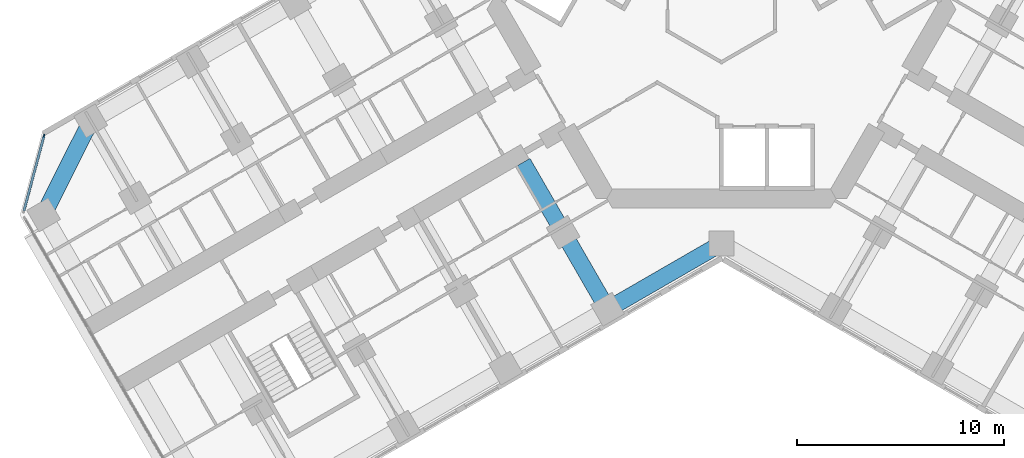
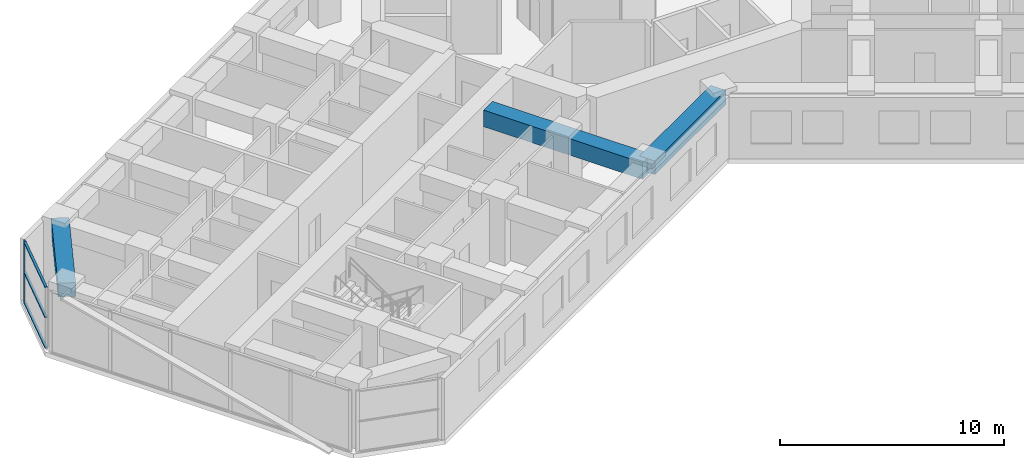
# One storey, part 3 of 20: 4 members, 3 beams, 1 element without a shape of its own.
"""IFC4 building model written with IfcOpenShell, lengths in metres."""

import ifcopenshell
import ifcopenshell.guid

model = None  # the IFC model being written
_history = None  # IfcOwnerHistory: only IFC2X3 demands one
_inside = {}  # id of a spatial element -> (the spatial element, [elements in it])
_under = {}  # id of a project, library or spatial element -> (it, [spatial elements below it])
_declared = {}  # id of a project -> (the project, [libraries it declares])
_typed = {}  # id of a type object -> (the type object, [elements of that type])
_made_of = {}  # id of a material, layer set ... -> (it, [elements and type objects made of it])


def new_model(schema):
    """Start an empty IFC model of exactly this schema.

    Asked for "IFC4X3", IfcOpenShell would pick the latest addendum, in which some entities
    have other attributes; the version numbers below select the first issue.
    IFC2X3 requires an IfcOwnerHistory on every rooted entity: one is made here for all.
    """
    global model, _history
    if schema == "IFC4X3":
        model = ifcopenshell.file(schema_version=(4, 3, 0, 0))
    else:
        model = ifcopenshell.file(schema=schema)
    _inside.clear()
    _under.clear()
    _declared.clear()
    _typed.clear()
    _made_of.clear()
    _history = None
    if model.schema == "IFC2X3":
        org = make("IfcOrganization", Name="unknown")
        user = make(
            "IfcPersonAndOrganization",
            ThePerson=make("IfcPerson", FamilyName="unknown"),
            TheOrganization=org,
        )
        app = make(
            "IfcApplication",
            ApplicationDeveloper=org,
            Version="unknown",
            ApplicationFullName="unknown",
            ApplicationIdentifier="unknown",
        )
        _history = make(
            "IfcOwnerHistory",
            OwningUser=user,
            OwningApplication=app,
            ChangeAction="ADDED",
            CreationDate=0,
        )
    return model


def make(cls, **values):
    """One entity of the class cls with the attributes given. An attribute that is None is left unset."""
    return model.create_entity(
        cls, **{name: value for name, value in values.items() if value is not None}
    )


def rooted(cls, **values):
    """An entity with a GlobalId (a new one), such as an element, a storey or a relation."""
    return make(cls, GlobalId=ifcopenshell.guid.new(), OwnerHistory=_history, **values)


def si_unit(unit_type, name, prefix=None):
    """IfcSIUnit, for example si_unit("LENGTHUNIT", "METRE", prefix="MILLI")."""
    return make("IfcSIUnit", UnitType=unit_type, Prefix=prefix, Name=name)


def assignment(units):
    """IfcUnitAssignment: the units of a project."""
    return None if units is None else make("IfcUnitAssignment", Units=units)


def point(xyz):
    """IfcCartesianPoint."""
    return None if xyz is None else make("IfcCartesianPoint", Coordinates=xyz)


def direction(xyz):
    """IfcDirection."""
    return None if xyz is None else make("IfcDirection", DirectionRatios=xyz)


def frame(location, z_axis=None, x_axis=None):
    """IfcAxis2Placement3D, a coordinate frame: its origin and axes. An axis left out is left unset."""
    return make(
        "IfcAxis2Placement3D",
        Location=point(location),
        Axis=direction(z_axis),
        RefDirection=direction(x_axis),
    )


def frame_2d(location, x_axis=None):
    """IfcAxis2Placement2D, a coordinate frame in the plane: its origin and x axis."""
    return make(
        "IfcAxis2Placement2D", Location=point(location), RefDirection=direction(x_axis)
    )


def origin():
    """The frame at (0, 0, 0) with its axes left unset."""
    return frame((0.0, 0.0, 0.0))


def origin_2d():
    """The frame at (0, 0) in the plane with its x axis left unset."""
    return frame_2d((0.0, 0.0))


def place(relative_to, where):
    """IfcLocalPlacement: puts the frame where relative to a parent placement (None: the world)."""
    return make(
        "IfcLocalPlacement", PlacementRelTo=relative_to, RelativePlacement=where
    )


def context(
    kind, dimensions, precision=None, world=None, true_north=None, identifier=None
):
    """IfcGeometricRepresentationContext, for example the 3D "Model" context."""
    return make(
        "IfcGeometricRepresentationContext",
        ContextIdentifier=identifier,
        ContextType=kind,
        CoordinateSpaceDimension=dimensions,
        Precision=precision,
        WorldCoordinateSystem=world,
        TrueNorth=true_north,
    )


def subcontext(parent, identifier, kind, view, scale=None):
    """IfcGeometricRepresentationSubContext, for example "Body" below "Model"."""
    return make(
        "IfcGeometricRepresentationSubContext",
        ContextIdentifier=identifier,
        ContextType=kind,
        ParentContext=parent,
        TargetScale=scale,
        TargetView=view,
    )


def project(units=None, contexts=None):
    """IfcProject with its units and contexts."""
    return rooted(
        "IfcProject",
        Name="project",
        RepresentationContexts=contexts,
        UnitsInContext=assignment(units),
    )


def spatial(cls, under=None, at=None, **own):
    """A site, building, storey or space (cls), placed at a placement, below another one or the project."""
    s = rooted(cls, ObjectPlacement=at, **own)
    if under is not None:
        _under.setdefault(under.id(), (under, []))[1].append(s)
    return s


def profile(cls, at=None, kind="AREA", **sizes):
    """A parametric profile (cls). Its sizes go by their IFC names, for example OverallWidth=200.0."""
    return make(cls, ProfileType=kind, Position=at, **sizes)


def rectangle(**sizes):
    """IfcRectangleProfileDef."""
    return profile("IfcRectangleProfileDef", **sizes)


def extrude(swept, where, along, depth):
    """IfcExtrudedAreaSolid: the profile swept, set in the frame where, extruded along a direction by depth."""
    return make(
        "IfcExtrudedAreaSolid",
        SweptArea=swept,
        Position=where,
        ExtrudedDirection=direction(along),
        Depth=depth,
    )


def shape(context_of_items, identifier, shape_type, items):
    """IfcShapeRepresentation: the items that make up one representation, for example the "Body"."""
    return make(
        "IfcShapeRepresentation",
        ContextOfItems=context_of_items,
        RepresentationIdentifier=identifier,
        RepresentationType=shape_type,
        Items=items,
    )


def material(Name=None, Category=None):
    """IfcMaterial."""
    return make("IfcMaterial", Name=Name, Category=Category)


def material_profile(
    of_material, cross_section, Name=None, Category=None, Priority=None
):
    """IfcMaterialProfile: a cross section and its material."""
    return make(
        "IfcMaterialProfile",
        Name=Name,
        Material=of_material,
        Profile=cross_section,
        Priority=Priority,
        Category=Category,
    )


def profile_set(profiles, Name=None, composite=None):
    """IfcMaterialProfileSet."""
    return make(
        "IfcMaterialProfileSet",
        Name=Name,
        MaterialProfiles=profiles,
        CompositeProfile=composite,
    )


def made_of(thing, what):
    """Note that an element or type object is made of a material, layer set ...; save() writes the relation."""
    if what is not None:
        _made_of.setdefault(what.id(), (what, []))[1].append(thing)
    return thing


def type_object(cls, material=None, **own):
    """A type object (cls), such as IfcWallType, which elements share."""
    return made_of(rooted(cls, **own), material)


def element(
    cls,
    number,
    at=None,
    inside=None,
    cuts=None,
    type_object=None,
    material=None,
    context=None,
    identifier="Body",
    shape_type=None,
    held_by="IfcProductDefinitionShape",
    body=None,
    shapes=None,
    **own,
):
    """One element of the class cls, such as IfcWall. Its Tag is "e" and its number.

    at: its placement. inside: the storey or other place that contains it. cuts: it is an
    opening in that element (IfcRelVoidsElement). A single representation is given by context,
    identifier, shape_type and body (its items); several are given by shapes. held_by: the class
    of the entity that holds the representations. save() writes the other relations.
    """
    e = rooted(cls, Tag="e%d" % number, ObjectPlacement=at, **own)
    if body is not None:
        shapes = [shape(context, identifier, shape_type, body)]
    if shapes is not None:
        e.Representation = make(held_by, Representations=shapes)
    if inside is not None:
        _inside.setdefault(inside.id(), (inside, []))[1].append(e)
    if cuts is not None:
        rooted(
            "IfcRelVoidsElement", RelatingBuildingElement=cuts, RelatedOpeningElement=e
        )
    if type_object is not None:
        _typed.setdefault(type_object.id(), (type_object, []))[1].append(e)
    return made_of(e, material)


def aggregate(whole, parts):
    """IfcRelAggregates: a whole, such as a stair, and the parts it consists of."""
    return rooted("IfcRelAggregates", RelatingObject=whole, RelatedObjects=parts)


def save(model, path):
    """Write the relations noted so far, then the file.

    IfcRelAggregates (storeys below a building ...), IfcRelContainedInSpatialStructure (elements
    in a storey), IfcRelDefinesByType, IfcRelAssociatesMaterial and IfcRelDeclares: one each for
    every whole, place, type object, material and project.
    """
    for whole, parts in _under.values():
        aggregate(whole, parts)
    for where, things in _inside.values():
        rooted(
            "IfcRelContainedInSpatialStructure",
            RelatedElements=things,
            RelatingStructure=where,
        )
    for kind, things in _typed.values():
        rooted("IfcRelDefinesByType", RelatedObjects=things, RelatingType=kind)
    for what, things in _made_of.values():
        rooted("IfcRelAssociatesMaterial", RelatedObjects=things, RelatingMaterial=what)
    for by, libraries in _declared.values():
        rooted("IfcRelDeclares", RelatingContext=by, RelatedDefinitions=libraries)
    model.write(path)


model = new_model("IFC4")

# Units and contexts
model_context = context("Model", 3, precision=1e-05, world=origin(), true_north=direction((0.0, 1.0)))
body_context = subcontext(model_context, "Body", "Model", "MODEL_VIEW")
ifc_project = project(units=[si_unit("LENGTHUNIT", "METRE"), si_unit("AREAUNIT", "SQUARE_METRE"), si_unit("VOLUMEUNIT", "CUBIC_METRE"), si_unit("PLANEANGLEUNIT", "RADIAN"), si_unit("MASSUNIT", "GRAM", prefix="KILO")], contexts=[model_context])

# Site, building, storey
site_placement = place(None, origin())
site = spatial("IfcSite", under=ifc_project, at=site_placement, CompositionType="ELEMENT")
building_placement = place(site_placement, origin())
building = spatial("IfcBuilding", under=site, at=building_placement, Name="Kosmar Iwan School Tower", CompositionType="ELEMENT")
storey_placement = place(building_placement, frame((0.0, 0.0, 127.39990234375)))
storey = spatial("IfcBuildingStorey", under=building, at=storey_placement, Name="L31", CompositionType="ELEMENT", Elevation=127.39990234375)

# Curtain wall, member
ifc_material_1 = material(Name="Dark glass in black aluminium frame", Category="aluminium")
curtain_wall_type = type_object("IfcCurtainWallType", Name="Chamfer curtain wall dark glass", PredefinedType="USERDEFINED", material=ifc_material_1)
curtain_wall_placement = place(storey_placement, origin())
curtain_wall = element("IfcCurtainWall", 1, at=curtain_wall_placement, inside=storey, type_object=curtain_wall_type, Name="Curtain wall L31-F12", ObjectType="FACETED CURTAIN WALL", PredefinedType="USERDEFINED")
ifc_material_2 = material(Name="Black anodised aluminium", Category="aluminium")
ifc_material_profile_1 = material_profile(ifc_material_2, rectangle(XDim=0.06005859375, YDim=0.159912109375, at=origin_2d()), Name="MULLION 60x160")
ifc_profile_set_1 = profile_set([ifc_material_profile_1], Name="Black anodised aluminium")
member_type_1 = type_object("IfcMemberType", Name="Mullion 60x160", PredefinedType="MULLION", material=ifc_profile_set_1)
member_1_placement = place(storey_placement, frame((-32.78076171875, -6.5732421875, 0.0), z_axis=(0.0, 0.0, 1.0), x_axis=(0.965925875495, -0.258818861462, 0.0)))
member_1 = element("IfcMember", 2, at=member_1_placement, type_object=member_type_1, Name="CW2 mullion 1", PredefinedType="MULLION", context=body_context, shape_type="SweptSolid", body=[
    extrude(rectangle(XDim=0.06005859375, YDim=0.159912109375, at=origin_2d()), origin(), (0.0, 0.0, 1.0), 3.35009765625),
])

# Beams
ifc_material_3 = material(Name="Concrete C50/60", Category="concrete")
ifc_material_profile_2 = material_profile(ifc_material_3, rectangle(XDim=0.800048828125, YDim=0.75, at=origin_2d()), Name="RC 800x750")
ifc_profile_set_2 = profile_set([ifc_material_profile_2], Name="Concrete C50/60")
beam_type_1 = type_object("IfcBeamType", Name="RC edge beam 800x750", PredefinedType="BEAM", material=ifc_profile_set_2)
beam_1_placement = place(storey_placement, frame((0.0, -11.77783203125, 2.97509765625), z_axis=(-0.866014293216, -0.500019243575, 0.0), x_axis=(0.500019243575, -0.866014293216, 0.0)))
element("IfcBeam", 3, at=beam_1_placement, inside=storey, type_object=beam_type_1, Name="Edge beam BL1", PredefinedType="BEAM", context=body_context, shape_type="SweptSolid", body=[
    extrude(rectangle(XDim=0.800048828125, YDim=0.75, at=origin_2d()), origin(), (0.0, 0.0, 1.0), 6.361083984375),
])
ifc_material_4 = material(Name="Concrete C50/60", Category="concrete")
ifc_material_profile_3 = material_profile(ifc_material_4, rectangle(XDim=0.800048828125, YDim=0.75, at=origin_2d()), Name="RC 800x750")
ifc_profile_set_3 = profile_set([ifc_material_profile_3], Name="Concrete C50/60")
beam_type_2 = type_object("IfcBeamType", Name="RC tip beam 800x750", PredefinedType="BEAM", material=ifc_profile_set_3)
beam_2_placement = place(storey_placement, frame((-30.517822265625, -5.841552734375, 2.97509765625), z_axis=(-0.44809604203, -0.893985423325, 0.0), x_axis=(0.893985423325, -0.44809604203, 0.0)))
element("IfcBeam", 4, at=beam_2_placement, inside=storey, type_object=beam_type_2, Name="Tip beam BR", PredefinedType="BEAM", context=body_context, shape_type="SweptSolid", body=[
    extrude(rectangle(XDim=0.800048828125, YDim=0.75, at=origin_2d()), origin(), (0.0, 0.0, 1.0), 5.08935546875),
])
ifc_material_5 = material(Name="Concrete C50/60", Category="concrete")
ifc_material_profile_4 = material_profile(ifc_material_5, rectangle(XDim=0.800048828125, YDim=0.89990234375, at=origin_2d()), Name="RC 800x900")
ifc_profile_set_4 = profile_set([ifc_material_profile_4], Name="Concrete C50/60")
beam_type_3 = type_object("IfcBeamType", Name="RC transverse beam 800x900", PredefinedType="BEAM", material=ifc_profile_set_4)
beam_3_placement = place(storey_placement, frame((-5.5087890625, -14.95849609375, 2.900146484375), z_axis=(-0.500000789788, 0.8660249478, 0.0), x_axis=(-0.8660249478, -0.500000789788, 0.0)))
element("IfcBeam", 5, at=beam_3_placement, inside=storey, type_object=beam_type_3, Name="Transverse beam BL1", PredefinedType="BEAM", context=body_context, shape_type="SweptSolid", body=[
    extrude(rectangle(XDim=0.800048828125, YDim=0.89990234375, at=origin_2d()), origin(), (0.0, 0.0, 1.0), 8.2001953125),
])

# Member
ifc_material_6 = material(Name="Black anodised aluminium", Category="aluminium")
ifc_material_profile_5 = material_profile(ifc_material_6, rectangle(XDim=0.1201171875, YDim=0.06005859375, at=origin_2d()), Name="TRANSOM 60x120")
ifc_profile_set_5 = profile_set([ifc_material_profile_5], Name="Black anodised aluminium")
member_type_2 = type_object("IfcMemberType", Name="Transom 60x120", PredefinedType="USERDEFINED", material=ifc_profile_set_5)
member_2_placement = place(storey_placement, frame((-32.788330078125, -6.602294921875, 0.030029296875), z_axis=(-0.258843273983, -0.965919333854, 0.0), x_axis=(0.965919333854, -0.258843273983, 0.0)))
member_2 = element("IfcMember", 6, at=member_2_placement, type_object=member_type_2, Name="CW2 transom 1.1", ObjectType="TRANSOM", PredefinedType="USERDEFINED", context=body_context, shape_type="SweptSolid", body=[
    extrude(rectangle(XDim=0.1201171875, YDim=0.06005859375, at=origin_2d()), origin(), (0.0, 0.0, 1.0), 3.718994140625),
])

member_3_placement = place(storey_placement, frame((-32.788330078125, -6.602294921875, 1.675048828125), z_axis=(-0.258843273983, -0.965919333854, 0.0), x_axis=(0.965919333854, -0.258843273983, 0.0)))
member_3 = element("IfcMember", 7, at=member_3_placement, type_object=member_type_2, Name="CW2 transom 1.2", ObjectType="TRANSOM", PredefinedType="USERDEFINED", context=body_context, shape_type="SweptSolid", body=[
    extrude(rectangle(XDim=0.1201171875, YDim=0.06005859375, at=origin_2d()), origin(), (0.0, 0.0, 1.0), 3.718994140625),
])

member_4_placement = place(storey_placement, frame((-32.788330078125, -6.602294921875, 3.320068359375), z_axis=(-0.258843273983, -0.965919333854, 0.0), x_axis=(0.965919333854, -0.258843273983, 0.0)))
member_4 = element("IfcMember", 8, at=member_4_placement, type_object=member_type_2, Name="CW2 transom 1.3", ObjectType="TRANSOM", PredefinedType="USERDEFINED", context=body_context, shape_type="SweptSolid", body=[
    extrude(rectangle(XDim=0.1201171875, YDim=0.06005859375, at=origin_2d()), origin(), (0.0, 0.0, 1.0), 3.718994140625),
])

aggregate(curtain_wall, [member_1, member_2, member_3, member_4])

save(model, "model.ifc")
